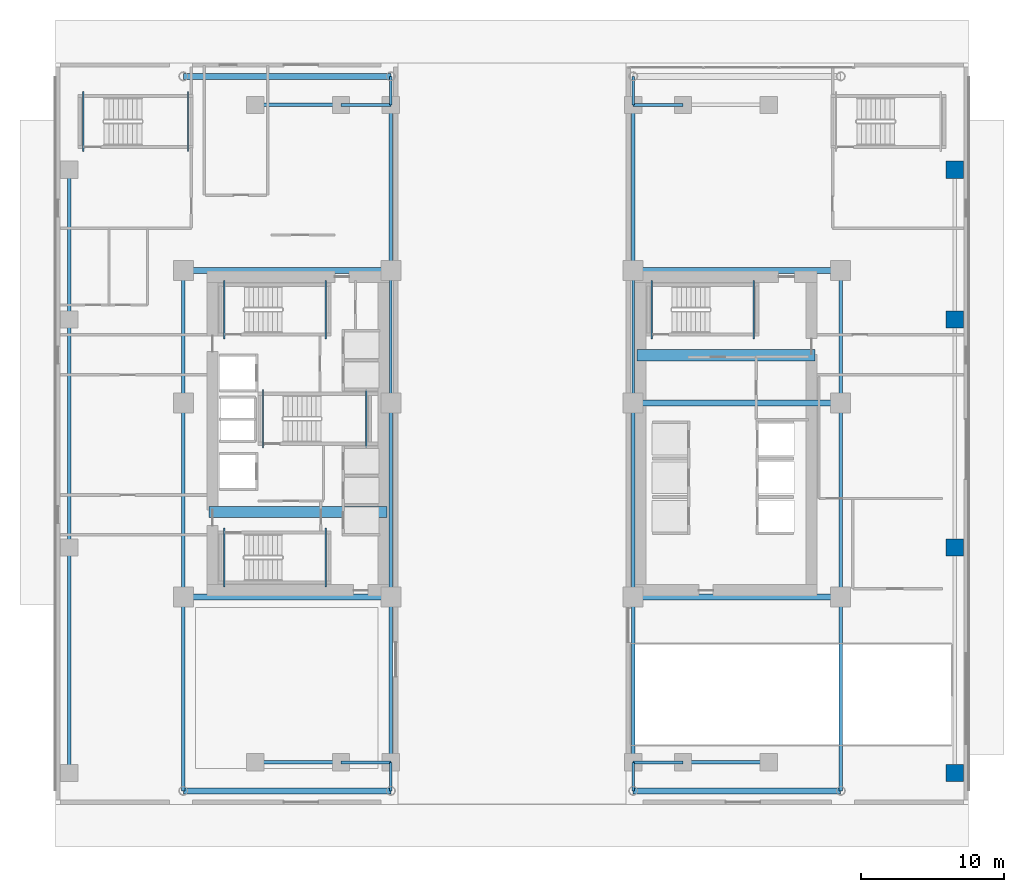
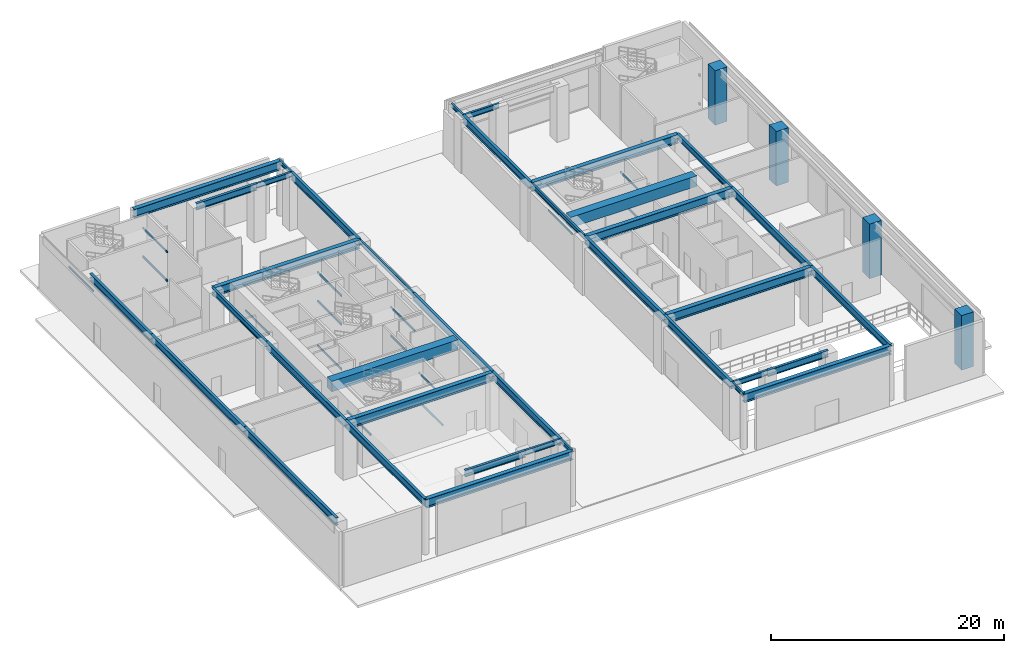
# One storey, part 2 of 17: 53 beams, 4 columns.
"""IFC4 building model written with IfcOpenShell, lengths in metres."""

from ifc_helpers import new_model, si_unit, direction, frame, origin, origin_2d, place, context, subcontext, project, spatial, rectangle, hollow_rectangle, i_section, extrude, source, transform, mapped, material, material_profile, profile_set, type_object, element, save


model = new_model("IFC4")

# Units and contexts
model_context = context("Model", 3, precision=1e-05, world=origin(), true_north=direction((0.0, 1.0)))
body_context = subcontext(model_context, "Body", "Model", "MODEL_VIEW")
ifc_project = project(units=[si_unit("LENGTHUNIT", "METRE"), si_unit("AREAUNIT", "SQUARE_METRE"), si_unit("VOLUMEUNIT", "CUBIC_METRE"), si_unit("PLANEANGLEUNIT", "RADIAN"), si_unit("MASSUNIT", "GRAM", prefix="KILO")], contexts=[model_context])

# Site, building, storey
site_placement = place(None, origin())
site = spatial("IfcSite", under=ifc_project, at=site_placement, CompositionType="ELEMENT")
building_placement = place(site_placement, origin())
building = spatial("IfcBuilding", under=site, at=building_placement, Name="Ocotamira Hotel", CompositionType="ELEMENT")
storey_placement = place(building_placement, origin())
storey = spatial("IfcBuildingStorey", under=building, at=storey_placement, Name="L01", CompositionType="ELEMENT", Elevation=0.0)

# Columns
ifc_material_1 = material(Name="Concrete C60/75", Category="concrete")
ifc_material_profile_1 = material_profile(ifc_material_1, rectangle(XDim=1.199951171875, YDim=1.199951171875, at=origin_2d()), Name="RC1200X1200")
ifc_profile_set_1 = profile_set([ifc_material_profile_1], Name="Concrete C60/75")
column_type = type_object("IfcColumnType", Name="COL-RC1200", PredefinedType="COLUMN", material=ifc_profile_set_1)
shared_shape_1 = source(origin(), body_context, "Body", "SweptSolid", [
    extrude(rectangle(XDim=1.199951171875, YDim=1.199951171875, at=origin_2d()), origin(), (0.0, 0.0, 1.0), 5.7099609375),
])
for number, where, z_axis, x_axis, name in (
    (1, (63.050048828125, 2.199951171875, 0.0), (0.0, 0.0, 1.0), (1.0, 0.0, 0.0), "L01 Column PE1"),
    (2, (63.050048828125, 18.0, 0.0), (0.0, 0.0, 1.0), (1.0, 0.0, 0.0), "L01 Column PE2"),
    (3, (63.050048828125, 34.0, 0.0), (0.0, 0.0, 1.0), (1.0, 0.0, 0.0), "L01 Column PE3"),
    (4, (63.050048828125, 44.5, 0.0), (0.0, 0.0, 1.0), (1.0, 0.0, 0.0), "L01 Column PE4"),
):
    element("IfcColumn", number, at=place(storey_placement, frame(where, z_axis=z_axis, x_axis=x_axis)), inside=storey, type_object=column_type, Name=name, PredefinedType="COLUMN", context=body_context, shape_type="MappedRepresentation", body=[
        mapped(shared_shape_1, transform((0.0, 0.0, 0.0), scale=1.0)),
    ])

# Beams
ifc_material_profile_2 = material_profile(ifc_material_1, rectangle(XDim=0.800048828125, YDim=1.10009765625, at=origin_2d()), Name="RC800X1100")
ifc_profile_set_2 = profile_set([ifc_material_profile_2], Name="Concrete C60/75")
beam_type_1 = type_object("IfcBeamType", Name="BM-LINK-RC800", PredefinedType="LINTEL", material=ifc_profile_set_2)
shared_shape_2 = source(origin(), body_context, "Body", "SweptSolid", [
    extrude(rectangle(XDim=0.800048828125, YDim=1.10009765625, at=origin_2d()), origin(), (0.0, 0.0, 1.0), 12.5),
])
for number, where, z_axis, x_axis, name in (
    (5, (10.75, 20.5, 5.159912109375), (1.0, 0.0, 0.0), (0.0, 1.0, 0.0), "L01 West Core Coupling Beam"),
    (6, (40.75, 31.5, 5.159912109375), (1.0, 0.0, 0.0), (0.0, 1.0, 0.0), "L01 East Core Coupling Beam"),
):
    element("IfcBeam", number, at=place(storey_placement, frame(where, z_axis=z_axis, x_axis=x_axis)), inside=storey, type_object=beam_type_1, Name=name, PredefinedType="LINTEL", context=body_context, shape_type="MappedRepresentation", body=[
        mapped(shared_shape_2, transform((0.0, 0.0, 0.0), scale=1.0)),
    ])
ifc_material_2 = material(Name="Steel ASTM A500 Grade C", Category="steel")
ifc_material_profile_3 = material_profile(ifc_material_2, hollow_rectangle(XDim=0.10009765625, YDim=0.199951171875, WallThickness=0.008056640625, at=origin_2d()), Name="HSS200X100X8")
ifc_profile_set_3 = profile_set([ifc_material_profile_3], Name="Steel ASTM A500 Grade C")
beam_type_2 = type_object("IfcBeamType", Name="BM-STLDG-HSS200", PredefinedType="BEAM", material=ifc_profile_set_3)
shared_shape_3 = source(origin(), body_context, "Body", "SweptSolid", [
    extrude(hollow_rectangle(XDim=0.10009765625, YDim=0.199951171875, WallThickness=0.008056640625, at=origin_2d()), origin(), (0.0, 0.0, 1.0), 4.1201171875),
])
for number, where, z_axis, x_axis, name in (
    (7, (18.949951171875, 15.25, 1.199951171875), (0.0, 1.0, 0.0), (-1.0, 0.0, 0.0), "L01 Stair ST-1 Landing Bearer 1"),
    (8, (11.81005859375, 15.25, 2.699951171875), (0.0, 1.0, 0.0), (-1.0, 0.0, 0.0), "L01 Stair ST-1 Landing Bearer 2"),
    (9, (18.949951171875, 15.25, 4.199951171875), (0.0, 1.0, 0.0), (-1.0, 0.0, 0.0), "L01 Stair ST-1 Landing Bearer 3"),
    (10, (18.949951171875, 32.6298828125, 1.199951171875), (0.0, 1.0, 0.0), (-1.0, 0.0, 0.0), "L01 Stair ST-2 Landing Bearer 1"),
    (11, (11.81005859375, 32.6298828125, 2.699951171875), (0.0, 1.0, 0.0), (-1.0, 0.0, 0.0), "L01 Stair ST-2 Landing Bearer 2"),
    (12, (18.949951171875, 32.6298828125, 4.199951171875), (0.0, 1.0, 0.0), (-1.0, 0.0, 0.0), "L01 Stair ST-2 Landing Bearer 3"),
    (13, (21.780029296875, 24.97998046875, 1.199951171875), (0.0, 1.0, 0.0), (-1.0, 0.0, 0.0), "L01 Stair ST-3 Landing Bearer 1"),
    (14, (14.5400390625, 24.97998046875, 2.699951171875), (0.0, 1.0, 0.0), (-1.0, 0.0, 0.0), "L01 Stair ST-3 Landing Bearer 2"),
    (15, (21.780029296875, 24.97998046875, 4.199951171875), (0.0, 1.0, 0.0), (-1.0, 0.0, 0.0), "L01 Stair ST-3 Landing Bearer 3"),
    (16, (48.949951171875, 32.6298828125, 1.199951171875), (0.0, 1.0, 0.0), (-1.0, 0.0, 0.0), "L01 Stair ST-4 Landing Bearer 1"),
    (17, (41.81005859375, 32.6298828125, 2.699951171875), (0.0, 1.0, 0.0), (-1.0, 0.0, 0.0), "L01 Stair ST-4 Landing Bearer 2"),
    (18, (48.949951171875, 32.6298828125, 4.199951171875), (0.0, 1.0, 0.0), (-1.0, 0.0, 0.0), "L01 Stair ST-4 Landing Bearer 3"),
):
    element("IfcBeam", number, at=place(storey_placement, frame(where, z_axis=z_axis, x_axis=x_axis)), inside=storey, type_object=beam_type_2, Name=name, PredefinedType="BEAM", context=body_context, shape_type="MappedRepresentation", body=[
        mapped(shared_shape_3, transform((0.0, 0.0, 0.0), scale=1.0)),
    ])
shared_shape_4 = source(origin(), body_context, "Body", "SweptSolid", [
    extrude(hollow_rectangle(XDim=0.10009765625, YDim=0.199951171875, WallThickness=0.008056640625, at=origin_2d()), origin(), (0.0, 0.0, 1.0), 4.199951171875),
])
for number, where, z_axis, x_axis, name in (
    (19, (9.280029296875, 45.780029296875, 1.199951171875), (0.0, 1.0, 0.0), (-1.0, 0.0, 0.0), "L01 Stair ST-5 Landing Bearer 1"),
    (20, (1.93994140625, 45.780029296875, 2.699951171875), (0.0, 1.0, 0.0), (-1.0, 0.0, 0.0), "L01 Stair ST-5 Landing Bearer 2"),
    (21, (9.280029296875, 45.780029296875, 4.199951171875), (0.0, 1.0, 0.0), (-1.0, 0.0, 0.0), "L01 Stair ST-5 Landing Bearer 3"),
):
    element("IfcBeam", number, at=place(storey_placement, frame(where, z_axis=z_axis, x_axis=x_axis)), inside=storey, type_object=beam_type_2, Name=name, PredefinedType="BEAM", context=body_context, shape_type="MappedRepresentation", body=[
        mapped(shared_shape_4, transform((0.0, 0.0, 0.0), scale=1.0)),
    ])
ifc_material_3 = material(Name="Steel ASTM A992 Grade 50", Category="steel")
ifc_material_profile_4 = material_profile(ifc_material_3, i_section(OverallWidth=0.41796875, OverallDepth=0.927001953125, WebThickness=0.019287109375, FlangeThickness=0.031982421875, FilletRadius=0.02392578125, at=origin_2d()), Name="W36X231")
ifc_profile_set_4 = profile_set([ifc_material_profile_4], Name="Steel ASTM A992 Grade 50")
beam_type_3 = type_object("IfcBeamType", Name="BM-GIRD-W36X231", PredefinedType="BEAM", material=ifc_profile_set_4)
shared_shape_5 = source(origin(), body_context, "Body", "SweptSolid", [
    extrude(i_section(OverallWidth=0.41796875, OverallDepth=0.927001953125, WebThickness=0.019287109375, FlangeThickness=0.031982421875, FilletRadius=0.02392578125, at=origin_2d()), origin(), (0.0, 0.0, 1.0), 14.550048828125),
])
for number, where, z_axis, x_axis, name in (
    (22, (8.949951171875, 0.949951171875, 5.24658203125), (1.0, 0.0, 0.0), (0.0, 1.0, 0.0), "L01 Girder Y0.95 X8.95-23.5"),
    (23, (40.5, 0.949951171875, 5.24658203125), (1.0, 0.0, 0.0), (0.0, 1.0, 0.0), "L01 Girder Y0.95 X40.5-55.05"),
    (24, (8.949951171875, 14.550048828125, 5.24658203125), (1.0, 0.0, 0.0), (0.0, 1.0, 0.0), "L01 Girder Y14.55 X8.95-23.5"),
    (25, (40.5, 14.550048828125, 5.24658203125), (1.0, 0.0, 0.0), (0.0, 1.0, 0.0), "L01 Girder Y14.55 X40.5-55.05"),
    (26, (40.5, 28.14990234375, 5.24658203125), (1.0, 0.0, 0.0), (0.0, 1.0, 0.0), "L01 Girder Y28.15 X40.5-55.05"),
    (27, (8.949951171875, 37.449951171875, 5.24658203125), (1.0, 0.0, 0.0), (0.0, 1.0, 0.0), "L01 Girder Y37.45 X8.95-23.5"),
    (28, (40.5, 37.449951171875, 5.24658203125), (1.0, 0.0, 0.0), (0.0, 1.0, 0.0), "L01 Girder Y37.45 X40.5-55.05"),
    (29, (8.949951171875, 51.050048828125, 5.24658203125), (1.0, 0.0, 0.0), (0.0, 1.0, 0.0), "L01 Girder Y51.05 X8.95-23.5"),
):
    element("IfcBeam", number, at=place(storey_placement, frame(where, z_axis=z_axis, x_axis=x_axis)), inside=storey, type_object=beam_type_3, Name=name, PredefinedType="BEAM", context=body_context, shape_type="MappedRepresentation", body=[
        mapped(shared_shape_5, transform((0.0, 0.0, 0.0), scale=1.0)),
    ])
ifc_material_profile_5 = material_profile(ifc_material_3, i_section(OverallWidth=0.256103515625, OverallDepth=0.693115234375, WebThickness=0.014404296875, FlangeThickness=0.023681640625, FilletRadius=0.01611328125, at=origin_2d()), Name="W27X114")
ifc_profile_set_5 = profile_set([ifc_material_profile_5], Name="Steel ASTM A992 Grade 50")
beam_type_4 = type_object("IfcBeamType", Name="BM-PRIM-W27X114", PredefinedType="BEAM", material=ifc_profile_set_5)
shared_shape_6 = source(origin(), body_context, "Body", "SweptSolid", [
    extrude(i_section(OverallWidth=0.256103515625, OverallDepth=0.693115234375, WebThickness=0.014404296875, FlangeThickness=0.023681640625, FilletRadius=0.01611328125, at=origin_2d()), origin(), (0.0, 0.0, 1.0), 6.0),
])
for number, where, z_axis, x_axis, name in (
    (30, (14.0, 2.949951171875, 5.363525390625), (1.0, 0.0, 0.0), (0.0, 1.0, 0.0), "L01 Girder Y2.95 X14-20"),
    (31, (44.0, 2.949951171875, 5.363525390625), (1.0, 0.0, 0.0), (0.0, 1.0, 0.0), "L01 Girder Y2.95 X44-50"),
    (32, (14.0, 49.050048828125, 5.363525390625), (1.0, 0.0, 0.0), (0.0, 1.0, 0.0), "L01 Girder Y49.05 X14-20"),
):
    element("IfcBeam", number, at=place(storey_placement, frame(where, z_axis=z_axis, x_axis=x_axis)), inside=storey, type_object=beam_type_4, Name=name, PredefinedType="BEAM", context=body_context, shape_type="MappedRepresentation", body=[
        mapped(shared_shape_6, transform((0.0, 0.0, 0.0), scale=1.0)),
    ])
ifc_material_profile_6 = material_profile(ifc_material_3, i_section(OverallWidth=0.2099609375, OverallDepth=0.537109375, WebThickness=0.010986328125, FlangeThickness=0.017333984375, FilletRadius=0.012939453125, at=origin_2d()), Name="W21X68")
ifc_profile_set_6 = profile_set([ifc_material_profile_6], Name="Steel ASTM A992 Grade 50")
beam_type_5 = type_object("IfcBeamType", Name="BM-SEC-W21X68", PredefinedType="JOIST", material=ifc_profile_set_6)
shared_shape_7 = source(origin(), body_context, "Body", "SweptSolid", [
    extrude(i_section(OverallWidth=0.2099609375, OverallDepth=0.537109375, WebThickness=0.010986328125, FlangeThickness=0.017333984375, FilletRadius=0.012939453125, at=origin_2d()), origin(), (0.0, 0.0, 1.0), 3.5),
])
for number, where, z_axis, x_axis, name in (
    (33, (20.0, 2.949951171875, 5.44140625), (1.0, 0.0, 0.0), (0.0, 1.0, 0.0), "L01 Girder Y2.95 X20-23.5"),
    (34, (40.5, 2.949951171875, 5.44140625), (1.0, 0.0, 0.0), (0.0, 1.0, 0.0), "L01 Girder Y2.95 X40.5-44"),
    (35, (20.0, 49.050048828125, 5.44140625), (1.0, 0.0, 0.0), (0.0, 1.0, 0.0), "L01 Girder Y49.05 X20-23.5"),
    (36, (40.5, 49.050048828125, 5.44140625), (1.0, 0.0, 0.0), (0.0, 1.0, 0.0), "L01 Girder Y49.05 X40.5-44"),
):
    element("IfcBeam", number, at=place(storey_placement, frame(where, z_axis=z_axis, x_axis=x_axis)), inside=storey, type_object=beam_type_5, Name=name, PredefinedType="JOIST", context=body_context, shape_type="MappedRepresentation", body=[
        mapped(shared_shape_7, transform((0.0, 0.0, 0.0), scale=1.0)),
    ])
ifc_material_profile_7 = material_profile(ifc_material_3, i_section(OverallWidth=0.26611328125, OverallDepth=0.779052734375, WebThickness=0.0166015625, FlangeThickness=0.030029296875, FilletRadius=0.01806640625, at=origin_2d()), Name="W30X148")
ifc_profile_set_7 = profile_set([ifc_material_profile_7], Name="Steel ASTM A992 Grade 50")
beam_type_6 = type_object("IfcBeamType", Name="BM-GIRD-W30X148", PredefinedType="BEAM", material=ifc_profile_set_7)
shared_shape_8 = source(origin(), body_context, "Body", "SweptSolid", [
    extrude(i_section(OverallWidth=0.26611328125, OverallDepth=0.779052734375, WebThickness=0.0166015625, FlangeThickness=0.030029296875, FilletRadius=0.01806640625, at=origin_2d()), origin(), (0.0, 0.0, 1.0), 15.800048828125),
])
beam_1_placement = place(storey_placement, frame((0.949951171875, 2.199951171875, 5.320556640625), z_axis=(0.0, 1.0, 0.0), x_axis=(-1.0, 0.0, 0.0)))
element("IfcBeam", 37, at=beam_1_placement, inside=storey, type_object=beam_type_6, Name="L01 Beam X0.95 Y2.2-18", PredefinedType="BEAM", context=body_context, shape_type="MappedRepresentation", body=[
    mapped(shared_shape_8, transform((0.0, 0.0, 0.0), scale=1.0)),
])
shared_shape_9 = source(origin(), body_context, "Body", "SweptSolid", [
    extrude(i_section(OverallWidth=0.26611328125, OverallDepth=0.779052734375, WebThickness=0.0166015625, FlangeThickness=0.030029296875, FilletRadius=0.01806640625, at=origin_2d()), origin(), (0.0, 0.0, 1.0), 16.0),
])
beam_2_placement = place(storey_placement, frame((0.949951171875, 18.0, 5.320556640625), z_axis=(0.0, 1.0, 0.0), x_axis=(-1.0, 0.0, 0.0)))
element("IfcBeam", 38, at=beam_2_placement, inside=storey, type_object=beam_type_6, Name="L01 Beam X0.95 Y18-34", PredefinedType="BEAM", context=body_context, shape_type="MappedRepresentation", body=[
    mapped(shared_shape_9, transform((0.0, 0.0, 0.0), scale=1.0)),
])
shared_shape_10 = source(origin(), body_context, "Body", "SweptSolid", [
    extrude(i_section(OverallWidth=0.26611328125, OverallDepth=0.779052734375, WebThickness=0.0166015625, FlangeThickness=0.030029296875, FilletRadius=0.01806640625, at=origin_2d()), origin(), (0.0, 0.0, 1.0), 10.5),
])
beam_3_placement = place(storey_placement, frame((0.949951171875, 34.0, 5.320556640625), z_axis=(0.0, 1.0, 0.0), x_axis=(-1.0, 0.0, 0.0)))
element("IfcBeam", 39, at=beam_3_placement, inside=storey, type_object=beam_type_6, Name="L01 Beam X0.95 Y34-44.5", PredefinedType="BEAM", context=body_context, shape_type="MappedRepresentation", body=[
    mapped(shared_shape_10, transform((0.0, 0.0, 0.0), scale=1.0)),
])
shared_shape_11 = source(origin(), body_context, "Body", "SweptSolid", [
    extrude(i_section(OverallWidth=0.26611328125, OverallDepth=0.779052734375, WebThickness=0.0166015625, FlangeThickness=0.030029296875, FilletRadius=0.01806640625, at=origin_2d()), origin(), (0.0, 0.0, 1.0), 13.60009765625),
])
for number, where, z_axis, x_axis, name in (
    (40, (8.949951171875, 0.949951171875, 5.320556640625), (0.0, 1.0, 0.0), (-1.0, 0.0, 0.0), "L01 Beam X8.95 Y0.95-14.55"),
    (41, (55.050048828125, 0.949951171875, 5.320556640625), (0.0, 1.0, 0.0), (-1.0, 0.0, 0.0), "L01 Beam X55.05 Y0.95-14.55"),
):
    element("IfcBeam", number, at=place(storey_placement, frame(where, z_axis=z_axis, x_axis=x_axis)), inside=storey, type_object=beam_type_6, Name=name, PredefinedType="BEAM", context=body_context, shape_type="MappedRepresentation", body=[
        mapped(shared_shape_11, transform((0.0, 0.0, 0.0), scale=1.0)),
    ])
shared_shape_12 = source(origin(), body_context, "Body", "SweptSolid", [
    extrude(i_section(OverallWidth=0.26611328125, OverallDepth=0.779052734375, WebThickness=0.0166015625, FlangeThickness=0.030029296875, FilletRadius=0.01806640625, at=origin_2d()), origin(), (0.0, 0.0, 1.0), 13.599853515625),
])
for number, where, z_axis, x_axis, name in (
    (42, (8.949951171875, 14.550048828125, 5.320556640625), (0.0, 1.0, 0.0), (-1.0, 0.0, 0.0), "L01 Beam X8.95 Y14.55-28.15"),
    (43, (23.5, 14.550048828125, 5.320556640625), (0.0, 1.0, 0.0), (-1.0, 0.0, 0.0), "L01 Beam X23.5 Y14.55-28.15"),
    (44, (40.5, 14.550048828125, 5.320556640625), (0.0, 1.0, 0.0), (-1.0, 0.0, 0.0), "L01 Beam X40.5 Y14.55-28.15"),
    (45, (55.050048828125, 14.550048828125, 5.320556640625), (0.0, 1.0, 0.0), (-1.0, 0.0, 0.0), "L01 Beam X55.05 Y14.55-28.15"),
):
    element("IfcBeam", number, at=place(storey_placement, frame(where, z_axis=z_axis, x_axis=x_axis)), inside=storey, type_object=beam_type_6, Name=name, PredefinedType="BEAM", context=body_context, shape_type="MappedRepresentation", body=[
        mapped(shared_shape_12, transform((0.0, 0.0, 0.0), scale=1.0)),
    ])
ifc_material_profile_8 = material_profile(ifc_material_3, i_section(OverallWidth=0.22998046875, OverallDepth=0.616943359375, WebThickness=0.01318359375, FlangeThickness=0.022216796875, FilletRadius=0.012939453125, at=origin_2d()), Name="W24X94")
ifc_profile_set_8 = profile_set([ifc_material_profile_8], Name="Steel ASTM A992 Grade 50")
beam_type_7 = type_object("IfcBeamType", Name="BM-PRIM-W24X94", PredefinedType="BEAM", material=ifc_profile_set_8)
shared_shape_13 = source(origin(), body_context, "Body", "SweptSolid", [
    extrude(i_section(OverallWidth=0.22998046875, OverallDepth=0.616943359375, WebThickness=0.01318359375, FlangeThickness=0.022216796875, FilletRadius=0.012939453125, at=origin_2d()), origin(), (0.0, 0.0, 1.0), 9.300048828125),
])
for number, where, z_axis, x_axis, name in (
    (46, (8.949951171875, 28.14990234375, 5.401611328125), (0.0, 1.0, 0.0), (-1.0, 0.0, 0.0), "L01 Beam X8.95 Y28.15-37.45"),
    (47, (55.050048828125, 28.14990234375, 5.401611328125), (0.0, 1.0, 0.0), (-1.0, 0.0, 0.0), "L01 Beam X55.05 Y28.15-37.45"),
):
    element("IfcBeam", number, at=place(storey_placement, frame(where, z_axis=z_axis, x_axis=x_axis)), inside=storey, type_object=beam_type_7, Name=name, PredefinedType="BEAM", context=body_context, shape_type="MappedRepresentation", body=[
        mapped(shared_shape_13, transform((0.0, 0.0, 0.0), scale=1.0)),
    ])
ifc_material_profile_9 = material_profile(ifc_material_3, i_section(OverallWidth=0.177978515625, OverallDepth=0.403076171875, WebThickness=0.007568359375, FlangeThickness=0.010986328125, FilletRadius=0.010009765625, at=origin_2d()), Name="W16X36")
ifc_profile_set_9 = profile_set([ifc_material_profile_9], Name="Steel ASTM A992 Grade 50")
beam_type_8 = type_object("IfcBeamType", Name="BM-SEC-W16X36", PredefinedType="JOIST", material=ifc_profile_set_9)
shared_shape_14 = source(origin(), body_context, "Body", "SweptSolid", [
    extrude(i_section(OverallWidth=0.177978515625, OverallDepth=0.403076171875, WebThickness=0.007568359375, FlangeThickness=0.010986328125, FilletRadius=0.010009765625, at=origin_2d()), origin(), (0.0, 0.0, 1.0), 2.0),
])
for number, where, z_axis, x_axis, name in (
    (48, (23.5, 0.949951171875, 5.508544921875), (0.0, 1.0, 0.0), (-1.0, 0.0, 0.0), "L01 Beam X23.5 Y0.95-2.95"),
    (49, (23.5, 49.050048828125, 5.508544921875), (0.0, 1.0, 0.0), (-1.0, 0.0, 0.0), "L01 Beam X23.5 Y49.05-51.05"),
    (50, (40.5, 0.949951171875, 5.508544921875), (0.0, 1.0, 0.0), (-1.0, 0.0, 0.0), "L01 Beam X40.5 Y0.95-2.95"),
    (51, (40.5, 49.050048828125, 5.508544921875), (0.0, 1.0, 0.0), (-1.0, 0.0, 0.0), "L01 Beam X40.5 Y49.05-51.05"),
):
    element("IfcBeam", number, at=place(storey_placement, frame(where, z_axis=z_axis, x_axis=x_axis)), inside=storey, type_object=beam_type_8, Name=name, PredefinedType="JOIST", context=body_context, shape_type="MappedRepresentation", body=[
        mapped(shared_shape_14, transform((0.0, 0.0, 0.0), scale=1.0)),
    ])
shared_shape_15 = source(origin(), body_context, "Body", "SweptSolid", [
    extrude(i_section(OverallWidth=0.26611328125, OverallDepth=0.779052734375, WebThickness=0.0166015625, FlangeThickness=0.030029296875, FilletRadius=0.01806640625, at=origin_2d()), origin(), (0.0, 0.0, 1.0), 11.60009765625),
])
for number, where, z_axis, x_axis, name in (
    (52, (23.5, 2.949951171875, 5.320556640625), (0.0, 1.0, 0.0), (-1.0, 0.0, 0.0), "L01 Beam X23.5 Y2.95-14.55"),
    (53, (23.5, 37.449951171875, 5.320556640625), (0.0, 1.0, 0.0), (-1.0, 0.0, 0.0), "L01 Beam X23.5 Y37.45-49.05"),
    (54, (40.5, 2.949951171875, 5.320556640625), (0.0, 1.0, 0.0), (-1.0, 0.0, 0.0), "L01 Beam X40.5 Y2.95-14.55"),
    (55, (40.5, 37.449951171875, 5.320556640625), (0.0, 1.0, 0.0), (-1.0, 0.0, 0.0), "L01 Beam X40.5 Y37.45-49.05"),
):
    element("IfcBeam", number, at=place(storey_placement, frame(where, z_axis=z_axis, x_axis=x_axis)), inside=storey, type_object=beam_type_6, Name=name, PredefinedType="BEAM", context=body_context, shape_type="MappedRepresentation", body=[
        mapped(shared_shape_15, transform((0.0, 0.0, 0.0), scale=1.0)),
    ])
ifc_material_profile_10 = material_profile(ifc_material_3, i_section(OverallWidth=0.18994140625, OverallDepth=0.45703125, WebThickness=0.009033203125, FlangeThickness=0.014404296875, FilletRadius=0.010009765625, at=origin_2d()), Name="W18X50")
ifc_profile_set_10 = profile_set([ifc_material_profile_10], Name="Steel ASTM A992 Grade 50")
beam_type_9 = type_object("IfcBeamType", Name="BM-SEC-W18X50", PredefinedType="JOIST", material=ifc_profile_set_10)
shared_shape_16 = source(origin(), body_context, "Body", "SweptSolid", [
    extrude(i_section(OverallWidth=0.18994140625, OverallDepth=0.45703125, WebThickness=0.009033203125, FlangeThickness=0.014404296875, FilletRadius=0.010009765625, at=origin_2d()), origin(), (0.0, 0.0, 1.0), 9.300048828125),
])
for number, where, z_axis, x_axis, name in (
    (56, (23.5, 28.14990234375, 5.4814453125), (0.0, 1.0, 0.0), (-1.0, 0.0, 0.0), "L01 Beam X23.5 Y28.15-37.45"),
    (57, (40.5, 28.14990234375, 5.4814453125), (0.0, 1.0, 0.0), (-1.0, 0.0, 0.0), "L01 Beam X40.5 Y28.15-37.45"),
):
    element("IfcBeam", number, at=place(storey_placement, frame(where, z_axis=z_axis, x_axis=x_axis)), inside=storey, type_object=beam_type_9, Name=name, PredefinedType="JOIST", context=body_context, shape_type="MappedRepresentation", body=[
        mapped(shared_shape_16, transform((0.0, 0.0, 0.0), scale=1.0)),
    ])

save(model, "model.ifc")
